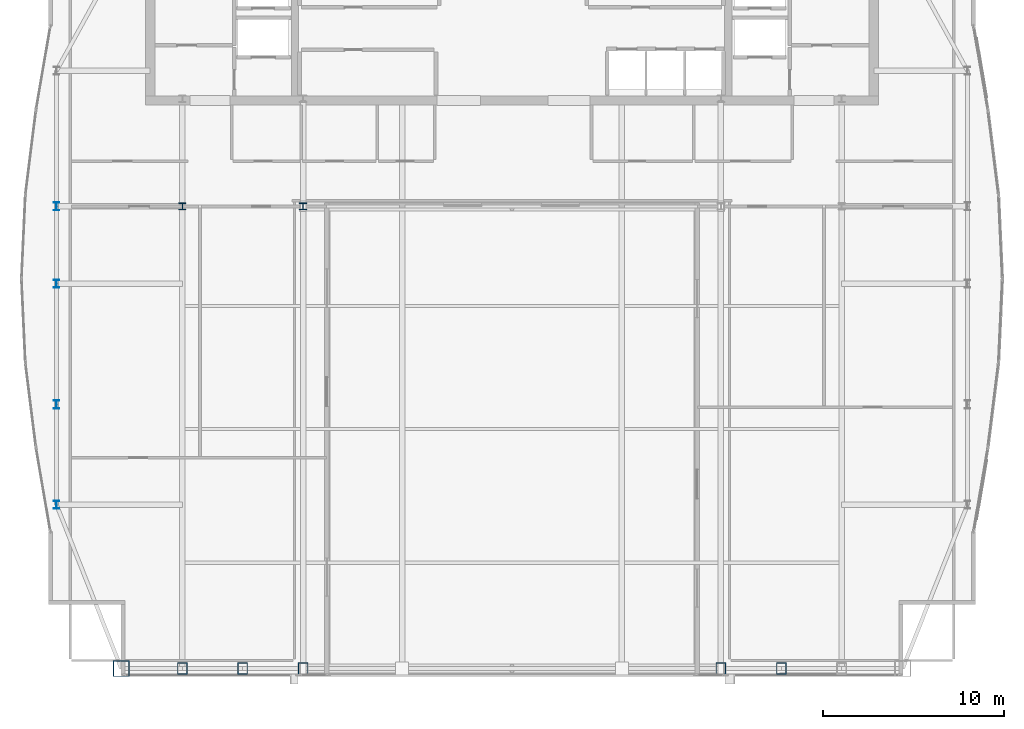
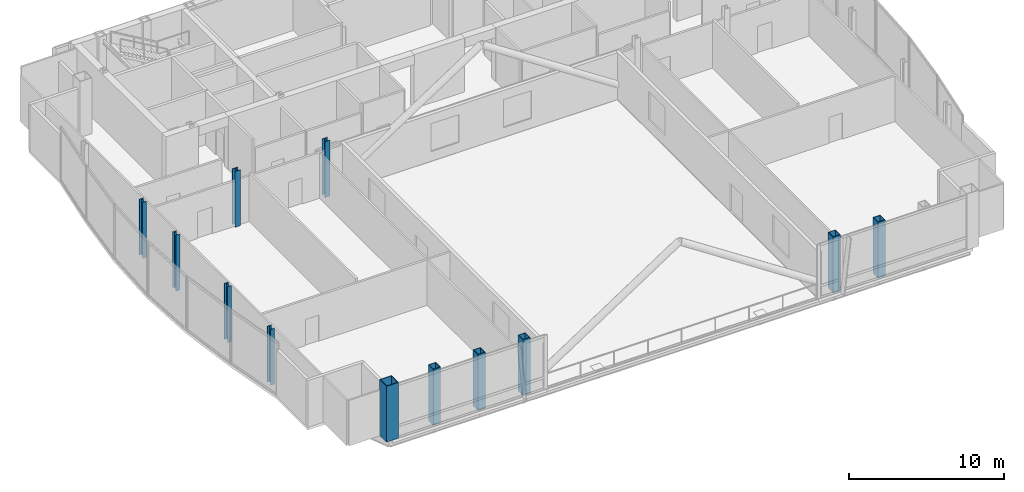
# One storey, part 1 of 27: 12 columns.
"""IFC4 building model written with IfcOpenShell, lengths in metres."""

from ifc_helpers import new_model, si_unit, direction, frame, origin, origin_2d, place, context, subcontext, project, spatial, hollow_rectangle, i_section, extrude, material, material_profile, profile_set, type_object, element, save


model = new_model("IFC4")

# Units and contexts
model_context = context("Model", 3, precision=1e-05, world=origin(), true_north=direction((0.0, 1.0)))
body_context = subcontext(model_context, "Body", "Model", "MODEL_VIEW")
ifc_project = project(units=[si_unit("LENGTHUNIT", "METRE"), si_unit("AREAUNIT", "SQUARE_METRE"), si_unit("VOLUMEUNIT", "CUBIC_METRE"), si_unit("PLANEANGLEUNIT", "RADIAN"), si_unit("MASSUNIT", "GRAM", prefix="KILO")], contexts=[model_context])

# Site, building, storey
site_placement = place(None, origin())
site = spatial("IfcSite", under=ifc_project, at=site_placement, CompositionType="ELEMENT")
building_placement = place(site_placement, origin())
building = spatial("IfcBuilding", under=site, at=building_placement, Name="Khoronbel Lancet Exchange", CompositionType="ELEMENT")
storey_placement = place(building_placement, frame((0.0, 0.0, 305.800048828125)))
storey = spatial("IfcBuildingStorey", under=building, at=storey_placement, Name="L79", CompositionType="ELEMENT", Elevation=305.800048828125)

# Columns
ifc_material_1 = material(Name="Steel S460", Category="steel")
ifc_material_profile_1 = material_profile(ifc_material_1, hollow_rectangle(XDim=0.550048828125, YDim=0.64990234375, WallThickness=0.0400390625, at=origin_2d()), Name="BOX 650x550x40")
ifc_profile_set_1 = profile_set([ifc_material_profile_1], Name="Steel S460")
column_type_1 = type_object("IfcColumnType", Name="COL-EC4", PredefinedType="COLUMN", material=ifc_profile_set_1)
for number, where, z_axis, x_axis, name in (
    (1, (18.22509765625, 10.14990234375, 0.0), (0.0, 0.0, 1.0), (1.0, 0.0, 0.0), "Structural column SC-W1 L79"),
    (2, (21.5625, 10.14990234375, 0.0), (0.0, 0.0, 1.0), (1.0, 0.0, 0.0), "Structural column SC-WM L79"),
    (3, (24.89990234375, 10.14990234375, 0.0), (0.0, 0.0, 1.0), (1.0, 0.0, 0.0), "Structural column SC-W2 L79"),
    (4, (48.0, 10.14990234375, 0.0), (0.0, 0.0, 1.0), (1.0, 0.0, 0.0), "Structural column SC-E1 L79"),
    (5, (51.33740234375, 10.14990234375, 0.0), (0.0, 0.0, 1.0), (1.0, 0.0, 0.0), "Structural column SC-EM L79"),
):
    element("IfcColumn", number, at=place(storey_placement, frame(where, z_axis=z_axis, x_axis=x_axis)), inside=storey, type_object=column_type_1, Name=name, PredefinedType="COLUMN", context=body_context, shape_type="SweptSolid", body=[
        extrude(hollow_rectangle(XDim=0.550048828125, YDim=0.64990234375, WallThickness=0.0400390625, at=origin_2d()), origin(), (0.0, 0.0, 1.0), 4.39990234375),
    ])
ifc_material_2 = material(Name="Steel S355", Category="steel")
ifc_material_profile_2 = material_profile(ifc_material_2, i_section(OverallWidth=0.39892578125, OverallDepth=0.39306640625, WebThickness=0.022705078125, FlangeThickness=0.03662109375, at=origin_2d()), Name="HD 400x287")
ifc_profile_set_2 = profile_set([ifc_material_profile_2], Name="Steel S355")
column_type_2 = type_object("IfcColumnType", Name="COL-IC4", PredefinedType="COLUMN", material=ifc_profile_set_2)
for number, where, z_axis, x_axis, name in (
    (6, (18.22509765625, 35.699951171875, 0.0), (0.0, 0.0, 1.0), (1.0, 0.0, 0.0), "Spine gravity column TC1 L79"),
    (7, (24.89990234375, 35.699951171875, 0.0), (0.0, 0.0, 1.0), (1.0, 0.0, 0.0), "Spine gravity column TC2 L79"),
):
    element("IfcColumn", number, at=place(storey_placement, frame(where, z_axis=z_axis, x_axis=x_axis)), inside=storey, type_object=column_type_2, Name=name, PredefinedType="COLUMN", context=body_context, shape_type="SweptSolid", body=[
        extrude(i_section(OverallWidth=0.39892578125, OverallDepth=0.39306640625, WebThickness=0.022705078125, FlangeThickness=0.03662109375, at=origin_2d()), origin(), (0.0, 0.0, 1.0), 4.39990234375),
    ])
ifc_material_profile_3 = material_profile(ifc_material_2, i_section(OverallWidth=0.300048828125, OverallDepth=0.449951171875, WebThickness=0.013916015625, FlangeThickness=0.02587890625, at=origin_2d()), Name="HEB 450")
ifc_profile_set_3 = profile_set([ifc_material_profile_3], Name="Steel S355")
column_type_3 = type_object("IfcColumnType", Name="COL-LC2", PredefinedType="COLUMN", material=ifc_profile_set_3)
for number, where, z_axis, x_axis, name in (
    (8, (11.27001953125, 19.199951171875, 0.0), (0.0, 0.0, 1.0), (1.0, 0.0, 0.0), "Structural column WC-1 L79"),
    (9, (11.27001953125, 24.75, 0.0), (0.0, 0.0, 1.0), (1.0, 0.0, 0.0), "Structural column WC-2 L79"),
    (10, (11.27001953125, 31.425048828125, 0.0), (0.0, 0.0, 1.0), (1.0, 0.0, 0.0), "Structural column WC-M L79"),
    (11, (11.27001953125, 35.699951171875, 0.0), (0.0, 0.0, 1.0), (1.0, 0.0, 0.0), "Structural column WC-3 L79"),
):
    element("IfcColumn", number, at=place(storey_placement, frame(where, z_axis=z_axis, x_axis=x_axis)), inside=storey, type_object=column_type_3, Name=name, PredefinedType="COLUMN", context=body_context, shape_type="SweptSolid", body=[
        extrude(i_section(OverallWidth=0.300048828125, OverallDepth=0.449951171875, WebThickness=0.013916015625, FlangeThickness=0.02587890625, at=origin_2d()), origin(), (0.0, 0.0, 1.0), 4.39990234375),
    ])
ifc_material_profile_4 = material_profile(ifc_material_1, hollow_rectangle(XDim=0.89990234375, YDim=0.89990234375, WallThickness=0.050048828125, at=origin_2d()), Name="BOX 900x900x50")
ifc_profile_set_4 = profile_set([ifc_material_profile_4], Name="Steel S460")
column_type_4 = type_object("IfcColumnType", Name="COL-MC7", PredefinedType="COLUMN", material=ifc_profile_set_4)
column_placement = place(storey_placement, frame((14.85009765625, 10.14990234375, 0.0), z_axis=(0.0, 0.0, 1.0), x_axis=(1.0, 0.0, 0.0)))
element("IfcColumn", 12, at=column_placement, inside=storey, type_object=column_type_4, Name="Structural column MC-SW L79", PredefinedType="COLUMN", context=body_context, shape_type="SweptSolid", body=[
    extrude(hollow_rectangle(XDim=0.89990234375, YDim=0.89990234375, WallThickness=0.050048828125, at=origin_2d()), origin(), (0.0, 0.0, 1.0), 4.39990234375),
])

save(model, "model.ifc")
